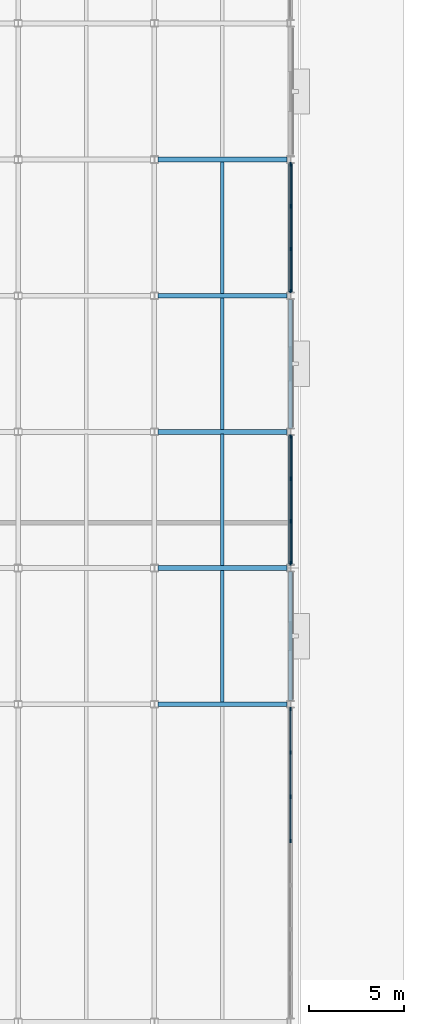
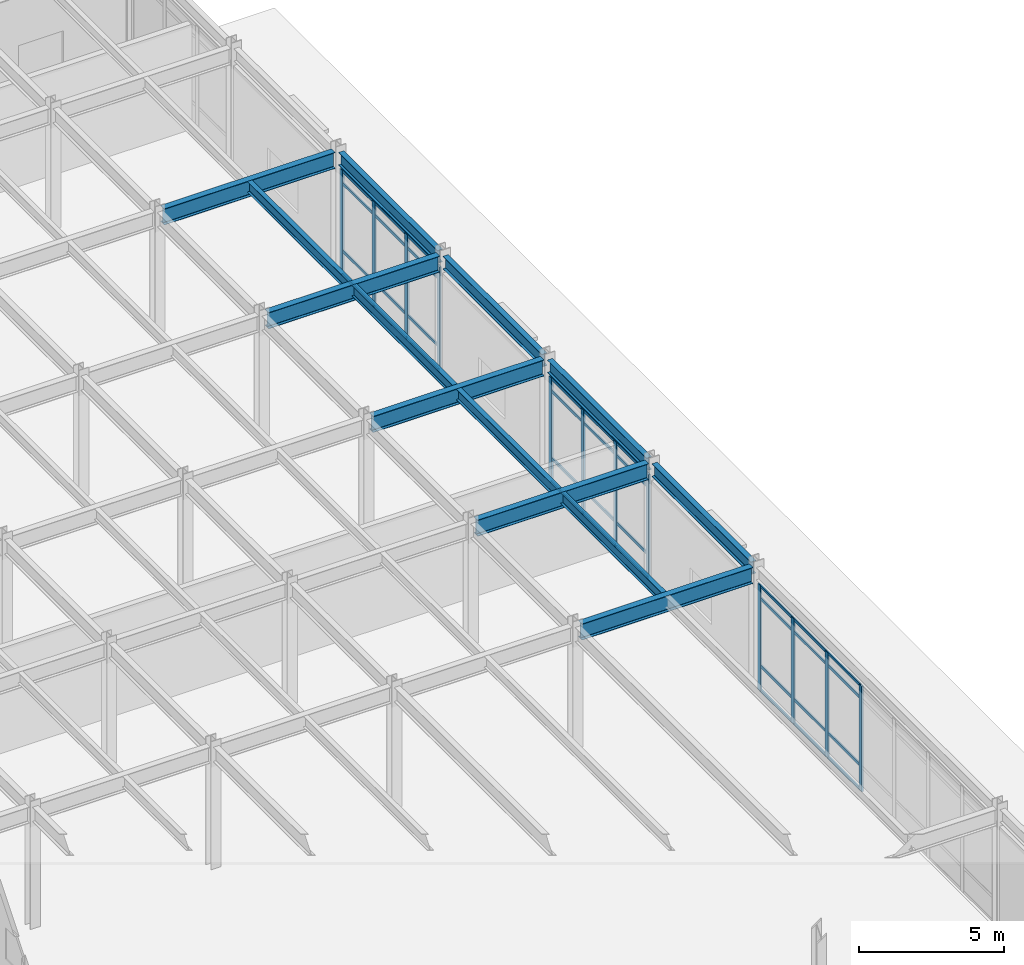
# One storey, part 55 of 104: 48 members, 13 beams, 3 elements without a shape of their own.
"""IFC4 building model written with IfcOpenShell, lengths in metres."""

from ifc_helpers import new_model, si_unit, direction, frame, origin, origin_2d, place, context, subcontext, project, spatial, rectangle, i_section, extrude, material, material_profile, profile_set, type_object, element, aggregate, save


model = new_model("IFC4")

# Units and contexts
model_context = context("Model", 3, precision=1e-05, world=origin(), true_north=direction((0.0, 1.0)))
body_context = subcontext(model_context, "Body", "Model", "MODEL_VIEW")
ifc_project = project(units=[si_unit("LENGTHUNIT", "METRE"), si_unit("AREAUNIT", "SQUARE_METRE"), si_unit("VOLUMEUNIT", "CUBIC_METRE"), si_unit("PLANEANGLEUNIT", "RADIAN"), si_unit("MASSUNIT", "GRAM", prefix="KILO")], contexts=[model_context])

# Site, building, storey
site_placement = place(None, origin())
site = spatial("IfcSite", under=ifc_project, at=site_placement, CompositionType="ELEMENT")
building_placement = place(site_placement, origin())
building = spatial("IfcBuilding", under=site, at=building_placement, Name="Vaelcorin Mobility Hub", CompositionType="ELEMENT")
storey_placement = place(building_placement, origin())
storey = spatial("IfcBuildingStorey", under=building, at=storey_placement, Name="L00", CompositionType="ELEMENT", Elevation=0.0)

# Beams
ifc_material_1 = material(Name="Steel ASTM A992 Grade 50", Category="steel")
ifc_material_profile_1 = material_profile(ifc_material_1, i_section(OverallWidth=0.19091796875, OverallDepth=0.4599609375, WebThickness=0.010009765625, FlangeThickness=0.01611328125, FilletRadius=0.012939453125, at=origin_2d()), Name="W18X55")
ifc_profile_set_1 = profile_set([ifc_material_profile_1], Name="Steel ASTM A992 Grade 50")
beam_type_1 = type_object("IfcBeamType", Name="BM-W18X55", PredefinedType="JOIST", material=ifc_profile_set_1)
for number, where, z_axis, x_axis, name in (
    (1, (200.39990234375, 76.925048828125, 4.909912109375), (0.0, 1.0, 0.0), (-1.0, 0.0, 0.0), "L00 Beam V5-L00-J-07-09-1"),
    (2, (200.39990234375, 84.125, 4.909912109375), (0.0, 1.0, 0.0), (-1.0, 0.0, 0.0), "L00 Beam V5-L00-J-07-10-1"),
    (3, (200.39990234375, 91.324951171875, 4.909912109375), (0.0, 1.0, 0.0), (-1.0, 0.0, 0.0), "L00 Beam V5-L00-J-07-11-1"),
):
    element("IfcBeam", number, at=place(storey_placement, frame(where, z_axis=z_axis, x_axis=x_axis)), inside=storey, type_object=beam_type_1, Name=name, PredefinedType="JOIST", context=body_context, shape_type="SweptSolid", body=[
        extrude(i_section(OverallWidth=0.19091796875, OverallDepth=0.4599609375, WebThickness=0.010009765625, FlangeThickness=0.01611328125, FilletRadius=0.012939453125, at=origin_2d()), origin(), (0.0, 0.0, 1.0), 6.949951171875),
    ])
beam_1_placement = place(storey_placement, frame((200.39990234375, 98.52490234375, 4.909912109375), z_axis=(0.0, 1.0, 0.0), x_axis=(-1.0, 0.0, 0.0)))
element("IfcBeam", 4, at=beam_1_placement, inside=storey, type_object=beam_type_1, Name="L00 Beam V5-L00-J-07-12-1", PredefinedType="JOIST", context=body_context, shape_type="SweptSolid", body=[
    extrude(i_section(OverallWidth=0.19091796875, OverallDepth=0.4599609375, WebThickness=0.010009765625, FlangeThickness=0.01611328125, FilletRadius=0.012939453125, at=origin_2d()), origin(), (0.0, 0.0, 1.0), 6.9501953125),
])
ifc_material_profile_2 = material_profile(ifc_material_1, i_section(OverallWidth=0.2099609375, OverallDepth=0.535888671875, WebThickness=0.010986328125, FlangeThickness=0.017333984375, FilletRadius=0.013916015625, at=origin_2d()), Name="W21X68")
ifc_profile_set_2 = profile_set([ifc_material_profile_2], Name="Steel ASTM A992 Grade 50")
beam_type_2 = type_object("IfcBeamType", Name="BM-W21X68", PredefinedType="SPANDREL", material=ifc_profile_set_2)
for number, where, z_axis, x_axis, name in (
    (5, (204.0, 76.988037109375, 4.8720703125), (0.0, 1.0, 0.0), (-1.0, 0.0, 0.0), "L00 Beam V5-L00-GY-08-09"),
    (6, (204.0, 84.18798828125, 4.8720703125), (0.0, 1.0, 0.0), (-1.0, 0.0, 0.0), "L00 Beam V5-L00-GY-08-10"),
):
    element("IfcBeam", number, at=place(storey_placement, frame(where, z_axis=z_axis, x_axis=x_axis)), inside=storey, type_object=beam_type_2, Name=name, PredefinedType="SPANDREL", context=body_context, shape_type="SweptSolid", body=[
        extrude(i_section(OverallWidth=0.2099609375, OverallDepth=0.535888671875, WebThickness=0.010986328125, FlangeThickness=0.017333984375, FilletRadius=0.013916015625, at=origin_2d()), origin(), (0.0, 0.0, 1.0), 6.823974609375),
    ])
beam_2_placement = place(storey_placement, frame((204.0, 91.388916015625, 4.8720703125), z_axis=(0.0, 1.0, 0.0), x_axis=(-1.0, 0.0, 0.0)))
element("IfcBeam", 7, at=beam_2_placement, inside=storey, type_object=beam_type_2, Name="L00 Beam V5-L00-GY-08-11", PredefinedType="SPANDREL", context=body_context, shape_type="SweptSolid", body=[
    extrude(i_section(OverallWidth=0.2099609375, OverallDepth=0.535888671875, WebThickness=0.010986328125, FlangeThickness=0.017333984375, FilletRadius=0.013916015625, at=origin_2d()), origin(), (0.0, 0.0, 1.0), 6.822998046875),
])
beam_3_placement = place(storey_placement, frame((204.0, 98.589111328125, 4.8720703125), z_axis=(0.0, 1.0, 0.0), x_axis=(-1.0, 0.0, 0.0)))
element("IfcBeam", 8, at=beam_3_placement, inside=storey, type_object=beam_type_2, Name="L00 Beam V5-L00-GY-08-12", PredefinedType="SPANDREL", context=body_context, shape_type="SweptSolid", body=[
    extrude(i_section(OverallWidth=0.2099609375, OverallDepth=0.535888671875, WebThickness=0.010986328125, FlangeThickness=0.017333984375, FilletRadius=0.013916015625, at=origin_2d()), origin(), (0.0, 0.0, 1.0), 6.82177734375),
])
ifc_material_profile_3 = material_profile(ifc_material_1, i_section(OverallWidth=0.25390625, OverallDepth=0.68310546875, WebThickness=0.012451171875, FlangeThickness=0.018798828125, FilletRadius=0.01611328125, at=origin_2d()), Name="W27X94")
ifc_profile_set_3 = profile_set([ifc_material_profile_3], Name="Steel ASTM A992 Grade 50")
beam_type_3 = type_object("IfcBeamType", Name="BM-W27X94", PredefinedType="BEAM", material=ifc_profile_set_3)
for number, where, z_axis, x_axis, name in (
    (9, (196.99609375, 76.800048828125, 4.798095703125), (1.0, 0.0, 0.0), (0.0, 1.0, 0.0), "L00 Beam V5-L00-GX-09-07"),
    (10, (196.99609375, 84.0, 4.798095703125), (1.0, 0.0, 0.0), (0.0, 1.0, 0.0), "L00 Beam V5-L00-GX-10-07"),
    (11, (196.99609375, 91.199951171875, 4.798095703125), (1.0, 0.0, 0.0), (0.0, 1.0, 0.0), "L00 Beam V5-L00-GX-11-07"),
    (12, (196.99609375, 98.39990234375, 4.798095703125), (1.0, 0.0, 0.0), (0.0, 1.0, 0.0), "L00 Beam V5-L00-GX-12-07"),
    (13, (196.99609375, 105.60009765625, 4.798095703125), (1.0, 0.0, 0.0), (0.0, 1.0, 0.0), "L00 Beam V5-L00-GX-13-07"),
):
    element("IfcBeam", number, at=place(storey_placement, frame(where, z_axis=z_axis, x_axis=x_axis)), inside=storey, type_object=beam_type_3, Name=name, PredefinedType="BEAM", context=body_context, shape_type="SweptSolid", body=[
        extrude(i_section(OverallWidth=0.25390625, OverallDepth=0.68310546875, WebThickness=0.012451171875, FlangeThickness=0.018798828125, FilletRadius=0.01611328125, at=origin_2d()), origin(), (0.0, 0.0, 1.0), 6.807861328125),
    ])

# Curtain wall, members
ifc_material_2 = material(Name="Anodised aluminium 6063-T6", Category="aluminium")
curtain_wall_type = type_object("IfcCurtainWallType", Name="CW-MOB-A", PredefinedType="NOTDEFINED", material=ifc_material_2)
curtain_wall_1_placement = place(storey_placement, origin())
curtain_wall_1 = element("IfcCurtainWall", 14, at=curtain_wall_1_placement, inside=storey, type_object=curtain_wall_type, Name="L00 Curtain Wall CW-V5-L00-E-08", PredefinedType="NOTDEFINED")
ifc_material_profile_4 = material_profile(ifc_material_2, rectangle(XDim=0.070068359375, YDim=0.199951171875, at=origin_2d()), Name="ALU-M70X200")
ifc_profile_set_4 = profile_set([ifc_material_profile_4], Name="Anodised aluminium 6063-T6")
member_type_1 = type_object("IfcMemberType", Name="CW-MULL-200", PredefinedType="MULLION", material=ifc_profile_set_4)
member_1_placement = place(storey_placement, frame((204.0, 76.550048828125, 0.0), z_axis=(0.0, 0.0, 1.0), x_axis=(1.0, 0.0, 0.0)))
member_1 = element("IfcMember", 15, at=member_1_placement, type_object=member_type_1, Name="CW7 mullion 1", PredefinedType="MULLION", context=body_context, shape_type="SweptSolid", body=[
    extrude(rectangle(XDim=0.070068359375, YDim=0.199951171875, at=origin_2d()), origin(), (0.0, 0.0, 1.0), 4.44189453125),
])
member_2_placement = place(storey_placement, frame((204.0, 74.242919921875, 0.0), z_axis=(0.0, 0.0, 1.0), x_axis=(1.0, 0.0, 0.0)))
member_2 = element("IfcMember", 16, at=member_2_placement, type_object=member_type_1, Name="CW7 mullion 2", PredefinedType="MULLION", context=body_context, shape_type="SweptSolid", body=[
    extrude(rectangle(XDim=0.070068359375, YDim=0.199951171875, at=origin_2d()), origin(), (0.0, 0.0, 1.0), 4.44189453125),
])
member_3_placement = place(storey_placement, frame((204.0, 71.90576171875, 0.0), z_axis=(0.0, 0.0, 1.0), x_axis=(1.0, 0.0, 0.0)))
member_3 = element("IfcMember", 17, at=member_3_placement, type_object=member_type_1, Name="CW7 mullion 3", PredefinedType="MULLION", context=body_context, shape_type="SweptSolid", body=[
    extrude(rectangle(XDim=0.070068359375, YDim=0.199951171875, at=origin_2d()), origin(), (0.0, 0.0, 1.0), 4.44189453125),
])
member_4_placement = place(storey_placement, frame((204.0, 69.568603515625, 0.0), z_axis=(0.0, 0.0, 1.0), x_axis=(1.0, 0.0, 0.0)))
member_4 = element("IfcMember", 18, at=member_4_placement, type_object=member_type_1, Name="CW7 mullion 4", PredefinedType="MULLION", context=body_context, shape_type="SweptSolid", body=[
    extrude(rectangle(XDim=0.070068359375, YDim=0.199951171875, at=origin_2d()), origin(), (0.0, 0.0, 1.0), 4.44189453125),
])

curtain_wall_2_placement = place(storey_placement, origin())
curtain_wall_2 = element("IfcCurtainWall", 19, at=curtain_wall_2_placement, inside=storey, type_object=curtain_wall_type, Name="L00 Curtain Wall CW-V5-L00-E-10", PredefinedType="NOTDEFINED")
member_5_placement = place(storey_placement, frame((204.0, 90.949951171875, 0.0), z_axis=(0.0, 0.0, 1.0), x_axis=(1.0, 0.0, 0.0)))
member_5 = element("IfcMember", 20, at=member_5_placement, type_object=member_type_1, Name="CW7 mullion 1", PredefinedType="MULLION", context=body_context, shape_type="SweptSolid", body=[
    extrude(rectangle(XDim=0.070068359375, YDim=0.199951171875, at=origin_2d()), origin(), (0.0, 0.0, 1.0), 4.44189453125),
])
member_6_placement = place(storey_placement, frame((204.0, 88.7265625, 0.0), z_axis=(0.0, 0.0, 1.0), x_axis=(1.0, 0.0, 0.0)))
member_6 = element("IfcMember", 21, at=member_6_placement, type_object=member_type_1, Name="CW7 mullion 2", PredefinedType="MULLION", context=body_context, shape_type="SweptSolid", body=[
    extrude(rectangle(XDim=0.070068359375, YDim=0.199951171875, at=origin_2d()), origin(), (0.0, 0.0, 1.0), 4.44189453125),
])
member_7_placement = place(storey_placement, frame((204.0, 86.473388671875, 0.0), z_axis=(0.0, 0.0, 1.0), x_axis=(1.0, 0.0, 0.0)))
member_7 = element("IfcMember", 22, at=member_7_placement, type_object=member_type_1, Name="CW7 mullion 3", PredefinedType="MULLION", context=body_context, shape_type="SweptSolid", body=[
    extrude(rectangle(XDim=0.070068359375, YDim=0.199951171875, at=origin_2d()), origin(), (0.0, 0.0, 1.0), 4.44189453125),
])
member_8_placement = place(storey_placement, frame((204.0, 84.25, 0.0), z_axis=(0.0, 0.0, 1.0), x_axis=(1.0, 0.0, 0.0)))
member_8 = element("IfcMember", 23, at=member_8_placement, type_object=member_type_1, Name="CW7 mullion 4", PredefinedType="MULLION", context=body_context, shape_type="SweptSolid", body=[
    extrude(rectangle(XDim=0.070068359375, YDim=0.199951171875, at=origin_2d()), origin(), (0.0, 0.0, 1.0), 4.44189453125),
])

curtain_wall_3_placement = place(storey_placement, origin())
curtain_wall_3 = element("IfcCurtainWall", 24, at=curtain_wall_3_placement, inside=storey, type_object=curtain_wall_type, Name="L00 Curtain Wall CW-V5-L00-E-12", PredefinedType="NOTDEFINED")
member_9_placement = place(storey_placement, frame((204.0, 105.35009765625, 0.0), z_axis=(0.0, 0.0, 1.0), x_axis=(1.0, 0.0, 0.0)))
member_9 = element("IfcMember", 25, at=member_9_placement, type_object=member_type_1, Name="CW7 mullion 1", PredefinedType="MULLION", context=body_context, shape_type="SweptSolid", body=[
    extrude(rectangle(XDim=0.070068359375, YDim=0.199951171875, at=origin_2d()), origin(), (0.0, 0.0, 1.0), 4.44189453125),
])
member_10_placement = place(storey_placement, frame((204.0, 103.126708984375, 0.0), z_axis=(0.0, 0.0, 1.0), x_axis=(1.0, 0.0, 0.0)))
member_10 = element("IfcMember", 26, at=member_10_placement, type_object=member_type_1, Name="CW7 mullion 2", PredefinedType="MULLION", context=body_context, shape_type="SweptSolid", body=[
    extrude(rectangle(XDim=0.070068359375, YDim=0.199951171875, at=origin_2d()), origin(), (0.0, 0.0, 1.0), 4.44189453125),
])
member_11_placement = place(storey_placement, frame((204.0, 100.873291015625, 0.0), z_axis=(0.0, 0.0, 1.0), x_axis=(1.0, 0.0, 0.0)))
member_11 = element("IfcMember", 27, at=member_11_placement, type_object=member_type_1, Name="CW7 mullion 3", PredefinedType="MULLION", context=body_context, shape_type="SweptSolid", body=[
    extrude(rectangle(XDim=0.070068359375, YDim=0.199951171875, at=origin_2d()), origin(), (0.0, 0.0, 1.0), 4.44189453125),
])
member_12_placement = place(storey_placement, frame((204.0, 98.64990234375, 0.0), z_axis=(0.0, 0.0, 1.0), x_axis=(1.0, 0.0, 0.0)))
member_12 = element("IfcMember", 28, at=member_12_placement, type_object=member_type_1, Name="CW7 mullion 4", PredefinedType="MULLION", context=body_context, shape_type="SweptSolid", body=[
    extrude(rectangle(XDim=0.070068359375, YDim=0.199951171875, at=origin_2d()), origin(), (0.0, 0.0, 1.0), 4.44189453125),
])

# Member
ifc_material_profile_5 = material_profile(ifc_material_2, rectangle(XDim=0.06005859375, YDim=0.1201171875, at=origin_2d()), Name="ALU-T60X120")
ifc_profile_set_5 = profile_set([ifc_material_profile_5], Name="Anodised aluminium 6063-T6")
member_type_2 = type_object("IfcMemberType", Name="CW-TRAN-140", PredefinedType="USERDEFINED", material=ifc_profile_set_5)
member_13_placement = place(storey_placement, frame((204.0, 76.52001953125, 0.030029296875), z_axis=(0.0, -1.0, 0.0), x_axis=(1.0, 0.0, 0.0)))
member_13 = element("IfcMember", 29, at=member_13_placement, type_object=member_type_2, Name="CW7 transom 1.1", ObjectType="TRANSOM", PredefinedType="USERDEFINED", context=body_context, shape_type="SweptSolid", body=[
    extrude(rectangle(XDim=0.06005859375, YDim=0.1201171875, at=origin_2d()), origin(), (0.0, 0.0, 1.0), 2.2470703125),
])

member_14_placement = place(storey_placement, frame((204.0, 76.52001953125, 1.050048828125), z_axis=(0.0, -1.0, 0.0), x_axis=(1.0, 0.0, 0.0)))
member_14 = element("IfcMember", 30, at=member_14_placement, type_object=member_type_2, Name="CW7 transom 1.2", ObjectType="TRANSOM", PredefinedType="USERDEFINED", context=body_context, shape_type="SweptSolid", body=[
    extrude(rectangle(XDim=0.06005859375, YDim=0.1201171875, at=origin_2d()), origin(), (0.0, 0.0, 1.0), 2.2470703125),
])

member_15_placement = place(storey_placement, frame((204.0, 76.52001953125, 3.89208984375), z_axis=(0.0, -1.0, 0.0), x_axis=(1.0, 0.0, 0.0)))
member_15 = element("IfcMember", 31, at=member_15_placement, type_object=member_type_2, Name="CW7 transom 1.3", ObjectType="TRANSOM", PredefinedType="USERDEFINED", context=body_context, shape_type="SweptSolid", body=[
    extrude(rectangle(XDim=0.06005859375, YDim=0.1201171875, at=origin_2d()), origin(), (0.0, 0.0, 1.0), 2.2470703125),
])

member_16_placement = place(storey_placement, frame((204.0, 76.52001953125, 4.412109375), z_axis=(0.0, -1.0, 0.0), x_axis=(1.0, 0.0, 0.0)))
member_16 = element("IfcMember", 32, at=member_16_placement, type_object=member_type_2, Name="CW7 transom 1.4", ObjectType="TRANSOM", PredefinedType="USERDEFINED", context=body_context, shape_type="SweptSolid", body=[
    extrude(rectangle(XDim=0.06005859375, YDim=0.1201171875, at=origin_2d()), origin(), (0.0, 0.0, 1.0), 2.2470703125),
])

member_17_placement = place(storey_placement, frame((204.0, 74.212890625, 0.030029296875), z_axis=(0.0, -1.0, 0.0), x_axis=(1.0, 0.0, 0.0)))
member_17 = element("IfcMember", 33, at=member_17_placement, type_object=member_type_2, Name="CW7 transom 2.1", ObjectType="TRANSOM", PredefinedType="USERDEFINED", context=body_context, shape_type="SweptSolid", body=[
    extrude(rectangle(XDim=0.06005859375, YDim=0.1201171875, at=origin_2d()), origin(), (0.0, 0.0, 1.0), 2.277099609375),
])

member_18_placement = place(storey_placement, frame((204.0, 74.212890625, 1.050048828125), z_axis=(0.0, -1.0, 0.0), x_axis=(1.0, 0.0, 0.0)))
member_18 = element("IfcMember", 34, at=member_18_placement, type_object=member_type_2, Name="CW7 transom 2.2", ObjectType="TRANSOM", PredefinedType="USERDEFINED", context=body_context, shape_type="SweptSolid", body=[
    extrude(rectangle(XDim=0.06005859375, YDim=0.1201171875, at=origin_2d()), origin(), (0.0, 0.0, 1.0), 2.277099609375),
])

member_19_placement = place(storey_placement, frame((204.0, 74.212890625, 3.89208984375), z_axis=(0.0, -1.0, 0.0), x_axis=(1.0, 0.0, 0.0)))
member_19 = element("IfcMember", 35, at=member_19_placement, type_object=member_type_2, Name="CW7 transom 2.3", ObjectType="TRANSOM", PredefinedType="USERDEFINED", context=body_context, shape_type="SweptSolid", body=[
    extrude(rectangle(XDim=0.06005859375, YDim=0.1201171875, at=origin_2d()), origin(), (0.0, 0.0, 1.0), 2.277099609375),
])

member_20_placement = place(storey_placement, frame((204.0, 74.212890625, 4.412109375), z_axis=(0.0, -1.0, 0.0), x_axis=(1.0, 0.0, 0.0)))
member_20 = element("IfcMember", 36, at=member_20_placement, type_object=member_type_2, Name="CW7 transom 2.4", ObjectType="TRANSOM", PredefinedType="USERDEFINED", context=body_context, shape_type="SweptSolid", body=[
    extrude(rectangle(XDim=0.06005859375, YDim=0.1201171875, at=origin_2d()), origin(), (0.0, 0.0, 1.0), 2.277099609375),
])

member_21_placement = place(storey_placement, frame((204.0, 71.875732421875, 0.030029296875), z_axis=(0.0, -1.0, 0.0), x_axis=(1.0, 0.0, 0.0)))
member_21 = element("IfcMember", 37, at=member_21_placement, type_object=member_type_2, Name="CW7 transom 3.1", ObjectType="TRANSOM", PredefinedType="USERDEFINED", context=body_context, shape_type="SweptSolid", body=[
    extrude(rectangle(XDim=0.06005859375, YDim=0.1201171875, at=origin_2d()), origin(), (0.0, 0.0, 1.0), 2.277099609375),
])

member_22_placement = place(storey_placement, frame((204.0, 71.875732421875, 1.050048828125), z_axis=(0.0, -1.0, 0.0), x_axis=(1.0, 0.0, 0.0)))
member_22 = element("IfcMember", 38, at=member_22_placement, type_object=member_type_2, Name="CW7 transom 3.2", ObjectType="TRANSOM", PredefinedType="USERDEFINED", context=body_context, shape_type="SweptSolid", body=[
    extrude(rectangle(XDim=0.06005859375, YDim=0.1201171875, at=origin_2d()), origin(), (0.0, 0.0, 1.0), 2.277099609375),
])

member_23_placement = place(storey_placement, frame((204.0, 71.875732421875, 3.89208984375), z_axis=(0.0, -1.0, 0.0), x_axis=(1.0, 0.0, 0.0)))
member_23 = element("IfcMember", 39, at=member_23_placement, type_object=member_type_2, Name="CW7 transom 3.3", ObjectType="TRANSOM", PredefinedType="USERDEFINED", context=body_context, shape_type="SweptSolid", body=[
    extrude(rectangle(XDim=0.06005859375, YDim=0.1201171875, at=origin_2d()), origin(), (0.0, 0.0, 1.0), 2.277099609375),
])

member_24_placement = place(storey_placement, frame((204.0, 71.875732421875, 4.412109375), z_axis=(0.0, -1.0, 0.0), x_axis=(1.0, 0.0, 0.0)))
member_24 = element("IfcMember", 40, at=member_24_placement, type_object=member_type_2, Name="CW7 transom 3.4", ObjectType="TRANSOM", PredefinedType="USERDEFINED", context=body_context, shape_type="SweptSolid", body=[
    extrude(rectangle(XDim=0.06005859375, YDim=0.1201171875, at=origin_2d()), origin(), (0.0, 0.0, 1.0), 2.277099609375),
])

aggregate(curtain_wall_1, [member_1, member_2, member_3, member_4, member_13, member_14, member_15, member_16, member_17, member_18, member_19, member_20, member_21, member_22, member_23, member_24])

member_25_placement = place(storey_placement, frame((204.0, 90.919921875, 0.030029296875), z_axis=(0.0, -1.0, 0.0), x_axis=(1.0, 0.0, 0.0)))
member_25 = element("IfcMember", 41, at=member_25_placement, type_object=member_type_2, Name="CW7 transom 1.1", ObjectType="TRANSOM", PredefinedType="USERDEFINED", context=body_context, shape_type="SweptSolid", body=[
    extrude(rectangle(XDim=0.06005859375, YDim=0.1201171875, at=origin_2d()), origin(), (0.0, 0.0, 1.0), 2.163330078125),
])

member_26_placement = place(storey_placement, frame((204.0, 90.919921875, 1.050048828125), z_axis=(0.0, -1.0, 0.0), x_axis=(1.0, 0.0, 0.0)))
member_26 = element("IfcMember", 42, at=member_26_placement, type_object=member_type_2, Name="CW7 transom 1.2", ObjectType="TRANSOM", PredefinedType="USERDEFINED", context=body_context, shape_type="SweptSolid", body=[
    extrude(rectangle(XDim=0.06005859375, YDim=0.1201171875, at=origin_2d()), origin(), (0.0, 0.0, 1.0), 2.163330078125),
])

member_27_placement = place(storey_placement, frame((204.0, 90.919921875, 3.89208984375), z_axis=(0.0, -1.0, 0.0), x_axis=(1.0, 0.0, 0.0)))
member_27 = element("IfcMember", 43, at=member_27_placement, type_object=member_type_2, Name="CW7 transom 1.3", ObjectType="TRANSOM", PredefinedType="USERDEFINED", context=body_context, shape_type="SweptSolid", body=[
    extrude(rectangle(XDim=0.06005859375, YDim=0.1201171875, at=origin_2d()), origin(), (0.0, 0.0, 1.0), 2.163330078125),
])

member_28_placement = place(storey_placement, frame((204.0, 90.919921875, 4.412109375), z_axis=(0.0, -1.0, 0.0), x_axis=(1.0, 0.0, 0.0)))
member_28 = element("IfcMember", 44, at=member_28_placement, type_object=member_type_2, Name="CW7 transom 1.4", ObjectType="TRANSOM", PredefinedType="USERDEFINED", context=body_context, shape_type="SweptSolid", body=[
    extrude(rectangle(XDim=0.06005859375, YDim=0.1201171875, at=origin_2d()), origin(), (0.0, 0.0, 1.0), 2.163330078125),
])

member_29_placement = place(storey_placement, frame((204.0, 88.69677734375, 0.030029296875), z_axis=(0.0, -1.0, 0.0), x_axis=(1.0, 0.0, 0.0)))
member_29 = element("IfcMember", 45, at=member_29_placement, type_object=member_type_2, Name="CW7 transom 2.1", ObjectType="TRANSOM", PredefinedType="USERDEFINED", context=body_context, shape_type="SweptSolid", body=[
    extrude(rectangle(XDim=0.06005859375, YDim=0.1201171875, at=origin_2d()), origin(), (0.0, 0.0, 1.0), 2.193359375),
])

member_30_placement = place(storey_placement, frame((204.0, 88.69677734375, 1.050048828125), z_axis=(0.0, -1.0, 0.0), x_axis=(1.0, 0.0, 0.0)))
member_30 = element("IfcMember", 46, at=member_30_placement, type_object=member_type_2, Name="CW7 transom 2.2", ObjectType="TRANSOM", PredefinedType="USERDEFINED", context=body_context, shape_type="SweptSolid", body=[
    extrude(rectangle(XDim=0.06005859375, YDim=0.1201171875, at=origin_2d()), origin(), (0.0, 0.0, 1.0), 2.193359375),
])

member_31_placement = place(storey_placement, frame((204.0, 88.69677734375, 3.89208984375), z_axis=(0.0, -1.0, 0.0), x_axis=(1.0, 0.0, 0.0)))
member_31 = element("IfcMember", 47, at=member_31_placement, type_object=member_type_2, Name="CW7 transom 2.3", ObjectType="TRANSOM", PredefinedType="USERDEFINED", context=body_context, shape_type="SweptSolid", body=[
    extrude(rectangle(XDim=0.06005859375, YDim=0.1201171875, at=origin_2d()), origin(), (0.0, 0.0, 1.0), 2.193359375),
])

member_32_placement = place(storey_placement, frame((204.0, 88.69677734375, 4.412109375), z_axis=(0.0, -1.0, 0.0), x_axis=(1.0, 0.0, 0.0)))
member_32 = element("IfcMember", 48, at=member_32_placement, type_object=member_type_2, Name="CW7 transom 2.4", ObjectType="TRANSOM", PredefinedType="USERDEFINED", context=body_context, shape_type="SweptSolid", body=[
    extrude(rectangle(XDim=0.06005859375, YDim=0.1201171875, at=origin_2d()), origin(), (0.0, 0.0, 1.0), 2.193359375),
])

member_33_placement = place(storey_placement, frame((204.0, 86.443359375, 0.030029296875), z_axis=(0.0, -1.0, 0.0), x_axis=(1.0, 0.0, 0.0)))
member_33 = element("IfcMember", 49, at=member_33_placement, type_object=member_type_2, Name="CW7 transom 3.1", ObjectType="TRANSOM", PredefinedType="USERDEFINED", context=body_context, shape_type="SweptSolid", body=[
    extrude(rectangle(XDim=0.06005859375, YDim=0.1201171875, at=origin_2d()), origin(), (0.0, 0.0, 1.0), 2.163330078125),
])

member_34_placement = place(storey_placement, frame((204.0, 86.443359375, 1.050048828125), z_axis=(0.0, -1.0, 0.0), x_axis=(1.0, 0.0, 0.0)))
member_34 = element("IfcMember", 50, at=member_34_placement, type_object=member_type_2, Name="CW7 transom 3.2", ObjectType="TRANSOM", PredefinedType="USERDEFINED", context=body_context, shape_type="SweptSolid", body=[
    extrude(rectangle(XDim=0.06005859375, YDim=0.1201171875, at=origin_2d()), origin(), (0.0, 0.0, 1.0), 2.163330078125),
])

member_35_placement = place(storey_placement, frame((204.0, 86.443359375, 3.89208984375), z_axis=(0.0, -1.0, 0.0), x_axis=(1.0, 0.0, 0.0)))
member_35 = element("IfcMember", 51, at=member_35_placement, type_object=member_type_2, Name="CW7 transom 3.3", ObjectType="TRANSOM", PredefinedType="USERDEFINED", context=body_context, shape_type="SweptSolid", body=[
    extrude(rectangle(XDim=0.06005859375, YDim=0.1201171875, at=origin_2d()), origin(), (0.0, 0.0, 1.0), 2.163330078125),
])

member_36_placement = place(storey_placement, frame((204.0, 86.443359375, 4.412109375), z_axis=(0.0, -1.0, 0.0), x_axis=(1.0, 0.0, 0.0)))
member_36 = element("IfcMember", 52, at=member_36_placement, type_object=member_type_2, Name="CW7 transom 3.4", ObjectType="TRANSOM", PredefinedType="USERDEFINED", context=body_context, shape_type="SweptSolid", body=[
    extrude(rectangle(XDim=0.06005859375, YDim=0.1201171875, at=origin_2d()), origin(), (0.0, 0.0, 1.0), 2.163330078125),
])

aggregate(curtain_wall_2, [member_5, member_6, member_7, member_8, member_25, member_26, member_27, member_28, member_29, member_30, member_31, member_32, member_33, member_34, member_35, member_36])

member_37_placement = place(storey_placement, frame((204.0, 105.320068359375, 0.030029296875), z_axis=(0.0, -1.0, 0.0), x_axis=(1.0, 0.0, 0.0)))
member_37 = element("IfcMember", 53, at=member_37_placement, type_object=member_type_2, Name="CW7 transom 1.1", ObjectType="TRANSOM", PredefinedType="USERDEFINED", context=body_context, shape_type="SweptSolid", body=[
    extrude(rectangle(XDim=0.06005859375, YDim=0.1201171875, at=origin_2d()), origin(), (0.0, 0.0, 1.0), 2.163330078125),
])

member_38_placement = place(storey_placement, frame((204.0, 105.320068359375, 1.050048828125), z_axis=(0.0, -1.0, 0.0), x_axis=(1.0, 0.0, 0.0)))
member_38 = element("IfcMember", 54, at=member_38_placement, type_object=member_type_2, Name="CW7 transom 1.2", ObjectType="TRANSOM", PredefinedType="USERDEFINED", context=body_context, shape_type="SweptSolid", body=[
    extrude(rectangle(XDim=0.06005859375, YDim=0.1201171875, at=origin_2d()), origin(), (0.0, 0.0, 1.0), 2.163330078125),
])

member_39_placement = place(storey_placement, frame((204.0, 105.320068359375, 3.89208984375), z_axis=(0.0, -1.0, 0.0), x_axis=(1.0, 0.0, 0.0)))
member_39 = element("IfcMember", 55, at=member_39_placement, type_object=member_type_2, Name="CW7 transom 1.3", ObjectType="TRANSOM", PredefinedType="USERDEFINED", context=body_context, shape_type="SweptSolid", body=[
    extrude(rectangle(XDim=0.06005859375, YDim=0.1201171875, at=origin_2d()), origin(), (0.0, 0.0, 1.0), 2.163330078125),
])

member_40_placement = place(storey_placement, frame((204.0, 105.320068359375, 4.412109375), z_axis=(0.0, -1.0, 0.0), x_axis=(1.0, 0.0, 0.0)))
member_40 = element("IfcMember", 56, at=member_40_placement, type_object=member_type_2, Name="CW7 transom 1.4", ObjectType="TRANSOM", PredefinedType="USERDEFINED", context=body_context, shape_type="SweptSolid", body=[
    extrude(rectangle(XDim=0.06005859375, YDim=0.1201171875, at=origin_2d()), origin(), (0.0, 0.0, 1.0), 2.163330078125),
])

member_41_placement = place(storey_placement, frame((204.0, 103.0966796875, 0.030029296875), z_axis=(0.0, -1.0, 0.0), x_axis=(1.0, 0.0, 0.0)))
member_41 = element("IfcMember", 57, at=member_41_placement, type_object=member_type_2, Name="CW7 transom 2.1", ObjectType="TRANSOM", PredefinedType="USERDEFINED", context=body_context, shape_type="SweptSolid", body=[
    extrude(rectangle(XDim=0.06005859375, YDim=0.1201171875, at=origin_2d()), origin(), (0.0, 0.0, 1.0), 2.193359375),
])

member_42_placement = place(storey_placement, frame((204.0, 103.0966796875, 1.050048828125), z_axis=(0.0, -1.0, 0.0), x_axis=(1.0, 0.0, 0.0)))
member_42 = element("IfcMember", 58, at=member_42_placement, type_object=member_type_2, Name="CW7 transom 2.2", ObjectType="TRANSOM", PredefinedType="USERDEFINED", context=body_context, shape_type="SweptSolid", body=[
    extrude(rectangle(XDim=0.06005859375, YDim=0.1201171875, at=origin_2d()), origin(), (0.0, 0.0, 1.0), 2.193359375),
])

member_43_placement = place(storey_placement, frame((204.0, 103.0966796875, 3.89208984375), z_axis=(0.0, -1.0, 0.0), x_axis=(1.0, 0.0, 0.0)))
member_43 = element("IfcMember", 59, at=member_43_placement, type_object=member_type_2, Name="CW7 transom 2.3", ObjectType="TRANSOM", PredefinedType="USERDEFINED", context=body_context, shape_type="SweptSolid", body=[
    extrude(rectangle(XDim=0.06005859375, YDim=0.1201171875, at=origin_2d()), origin(), (0.0, 0.0, 1.0), 2.193359375),
])

member_44_placement = place(storey_placement, frame((204.0, 103.0966796875, 4.412109375), z_axis=(0.0, -1.0, 0.0), x_axis=(1.0, 0.0, 0.0)))
member_44 = element("IfcMember", 60, at=member_44_placement, type_object=member_type_2, Name="CW7 transom 2.4", ObjectType="TRANSOM", PredefinedType="USERDEFINED", context=body_context, shape_type="SweptSolid", body=[
    extrude(rectangle(XDim=0.06005859375, YDim=0.1201171875, at=origin_2d()), origin(), (0.0, 0.0, 1.0), 2.193359375),
])

member_45_placement = place(storey_placement, frame((204.0, 100.84326171875, 0.030029296875), z_axis=(0.0, -1.0, 0.0), x_axis=(1.0, 0.0, 0.0)))
member_45 = element("IfcMember", 61, at=member_45_placement, type_object=member_type_2, Name="CW7 transom 3.1", ObjectType="TRANSOM", PredefinedType="USERDEFINED", context=body_context, shape_type="SweptSolid", body=[
    extrude(rectangle(XDim=0.06005859375, YDim=0.1201171875, at=origin_2d()), origin(), (0.0, 0.0, 1.0), 2.163330078125),
])

member_46_placement = place(storey_placement, frame((204.0, 100.84326171875, 1.050048828125), z_axis=(0.0, -1.0, 0.0), x_axis=(1.0, 0.0, 0.0)))
member_46 = element("IfcMember", 62, at=member_46_placement, type_object=member_type_2, Name="CW7 transom 3.2", ObjectType="TRANSOM", PredefinedType="USERDEFINED", context=body_context, shape_type="SweptSolid", body=[
    extrude(rectangle(XDim=0.06005859375, YDim=0.1201171875, at=origin_2d()), origin(), (0.0, 0.0, 1.0), 2.163330078125),
])

member_47_placement = place(storey_placement, frame((204.0, 100.84326171875, 3.89208984375), z_axis=(0.0, -1.0, 0.0), x_axis=(1.0, 0.0, 0.0)))
member_47 = element("IfcMember", 63, at=member_47_placement, type_object=member_type_2, Name="CW7 transom 3.3", ObjectType="TRANSOM", PredefinedType="USERDEFINED", context=body_context, shape_type="SweptSolid", body=[
    extrude(rectangle(XDim=0.06005859375, YDim=0.1201171875, at=origin_2d()), origin(), (0.0, 0.0, 1.0), 2.163330078125),
])

member_48_placement = place(storey_placement, frame((204.0, 100.84326171875, 4.412109375), z_axis=(0.0, -1.0, 0.0), x_axis=(1.0, 0.0, 0.0)))
member_48 = element("IfcMember", 64, at=member_48_placement, type_object=member_type_2, Name="CW7 transom 3.4", ObjectType="TRANSOM", PredefinedType="USERDEFINED", context=body_context, shape_type="SweptSolid", body=[
    extrude(rectangle(XDim=0.06005859375, YDim=0.1201171875, at=origin_2d()), origin(), (0.0, 0.0, 1.0), 2.163330078125),
])

aggregate(curtain_wall_3, [member_9, member_10, member_11, member_12, member_37, member_38, member_39, member_40, member_41, member_42, member_43, member_44, member_45, member_46, member_47, member_48])

save(model, "model.ifc")
